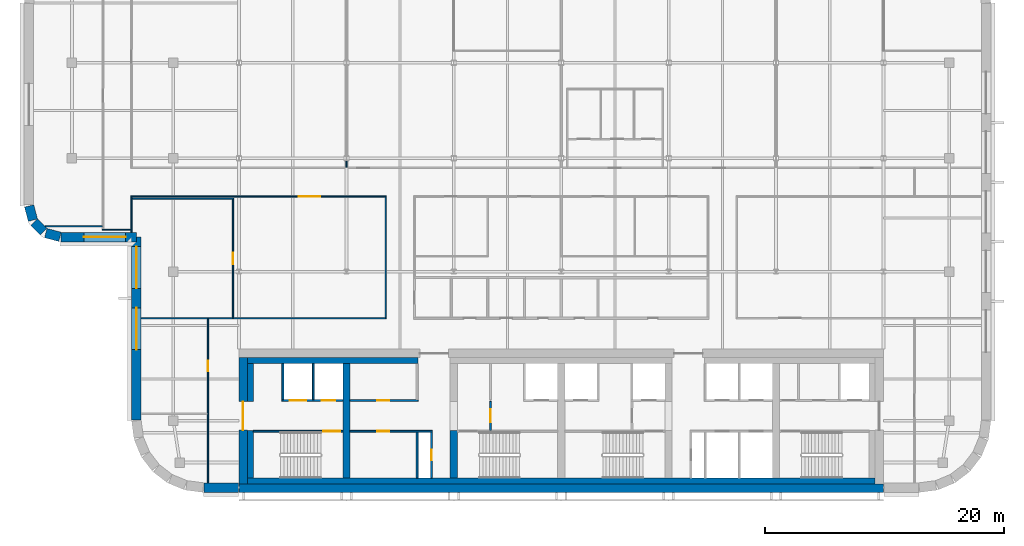
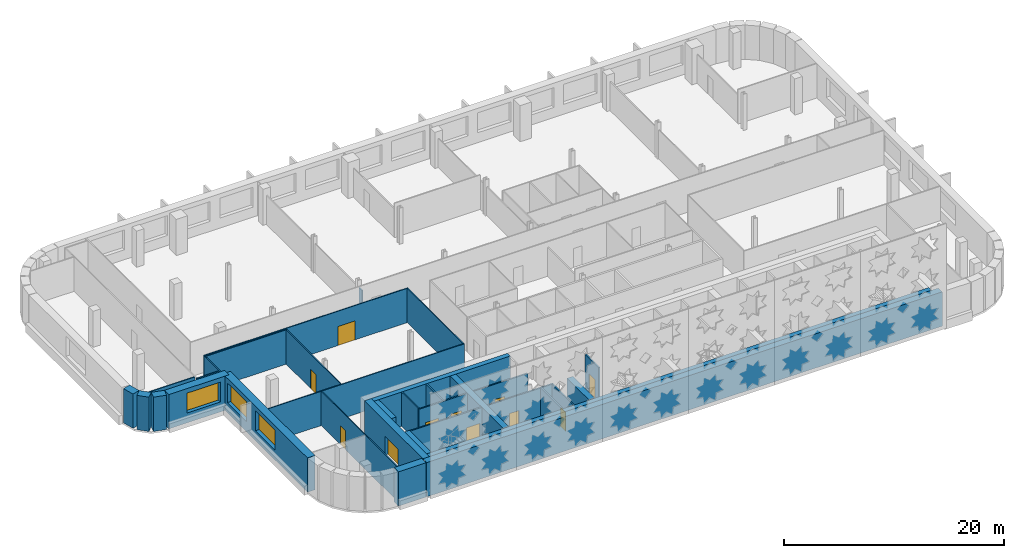
# One storey, part 7 of 17: 33 walls, 11 doors, 3 windows, 14 openings.
"""IFC4 building model written with IfcOpenShell, lengths in metres."""

from ifc_helpers import new_model, si_unit, direction, frame, frame_2d, origin, place, context, subcontext, project, spatial, rectangle, extrude, material, layer, layer_set, type_object, element, fill, save


model = new_model("IFC4")

# Units and contexts
model_context = context("Model", 3, precision=1e-05, world=origin(), true_north=direction((0.0, 1.0)))
body_context = subcontext(model_context, "Body", "Model", "MODEL_VIEW")
ifc_project = project(units=[si_unit("LENGTHUNIT", "METRE"), si_unit("AREAUNIT", "SQUARE_METRE"), si_unit("VOLUMEUNIT", "CUBIC_METRE"), si_unit("PLANEANGLEUNIT", "RADIAN"), si_unit("MASSUNIT", "GRAM", prefix="KILO")], contexts=[model_context])

# Site, building, storey
site_placement = place(None, origin())
site = spatial("IfcSite", under=ifc_project, at=site_placement, CompositionType="ELEMENT")
building_placement = place(site_placement, origin())
building = spatial("IfcBuilding", under=site, at=building_placement, Name="Zellij Exchange Tower", CompositionType="ELEMENT")
storey_placement = place(building_placement, frame((0.0, 0.0, 252.5)))
storey = spatial("IfcBuildingStorey", under=building, at=storey_placement, Name="L59", CompositionType="ELEMENT", Elevation=252.5)

# Walls
ifc_material_1 = material(Name="Concrete C50/60", Category="concrete")
ifc_layer_1 = layer(ifc_material_1, 0.60009765625)
ifc_layer_set_1 = layer_set([ifc_layer_1], Name="Concrete C50/60")
wall_type_1 = type_object("IfcWallType", Name="CORE-CW 600 C50/60", PredefinedType="SHEAR", material=ifc_layer_set_1)
wall_1_placement = place(storey_placement, frame((-18.0, -12.800048828125, 0.0), z_axis=(0.0, 0.0, 1.0), x_axis=(0.0, 1.0, 0.0)))
element("IfcWall", 1, at=wall_1_placement, inside=storey, type_object=wall_type_1, Name="Core cross wall x -18 L59", PredefinedType="SHEAR", context=body_context, shape_type="SweptSolid", body=[
    extrude(rectangle(XDim=9.60009765625, YDim=0.60009765625, at=frame_2d((4.800048828125, 0.0))), origin(), (0.0, 0.0, 1.0), 3.800048828125),
])
wall_2_placement = place(storey_placement, frame((-9.0, -12.800048828125, 0.0), z_axis=(0.0, 0.0, 1.0), x_axis=(0.0, 1.0, 0.0)))
element("IfcWall", 2, at=wall_2_placement, inside=storey, type_object=wall_type_1, Name="Core cross wall pier x -9 a L59", PredefinedType="SHEAR", context=body_context, shape_type="SweptSolid", body=[
    extrude(rectangle(XDim=4.0, YDim=0.60009765625, at=frame_2d((2.0, 0.0))), origin(), (0.0, 0.0, 1.0), 3.800048828125),
])
ifc_material_2 = material(Name="Concrete C30/37", Category="concrete")
ifc_layer_2 = layer(ifc_material_2, 0.5)
ifc_layer_set_2 = layer_set([ifc_layer_2], Name="Concrete C30/37")
wall_type_2 = type_object("IfcWallType", Name="CORE-LW 500 C30/37", PredefinedType="SHEAR", material=ifc_layer_set_2)
wall_3_placement = place(storey_placement, frame((-26.300048828125, -2.949951171875, 0.0), z_axis=(0.0, 0.0, 1.0), x_axis=(1.0, 0.0, 0.0)))
element("IfcWall", 3, at=wall_3_placement, inside=storey, type_object=wall_type_2, Name="Core wall lining front.0 L59", PredefinedType="SHEAR", context=body_context, shape_type="SweptSolid", body=[
    extrude(rectangle(XDim=14.300048828125, YDim=0.5, at=frame_2d((7.14990234375, 0.0))), origin(), (0.0, 0.0, 1.0), 3.800048828125),
])
wall_4_placement = place(storey_placement, frame((-26.300048828125, -13.050048828125, 0.0), z_axis=(0.0, 0.0, 1.0), x_axis=(1.0, 0.0, 0.0)))
element("IfcWall", 4, at=wall_4_placement, inside=storey, type_object=wall_type_2, Name="Core wall lining rear.0 L59", PredefinedType="SHEAR", context=body_context, shape_type="SweptSolid", body=[
    extrude(rectangle(XDim=52.60009765625, YDim=0.5, at=frame_2d((26.300048828125, 0.0))), origin(), (0.0, 0.0, 1.0), 3.800048828125),
])
wall_5_placement = place(storey_placement, frame((-26.050048828125, -12.800048828125, 0.0), z_axis=(0.0, 0.0, 1.0), x_axis=(0.0, 1.0, 0.0)))
element("IfcWall", 5, at=wall_5_placement, inside=storey, type_object=wall_type_2, Name="Core wall lining end w.0 L59", PredefinedType="SHEAR", context=body_context, shape_type="SweptSolid", body=[
    extrude(rectangle(XDim=4.0, YDim=0.5, at=frame_2d((2.0, 0.0))), origin(), (0.0, 0.0, 1.0), 3.800048828125),
])
wall_6_placement = place(storey_placement, frame((-26.050048828125, -6.375, 0.0), z_axis=(0.0, 0.0, 1.0), x_axis=(0.0, 1.0, 0.0)))
element("IfcWall", 6, at=wall_6_placement, inside=storey, type_object=wall_type_2, Name="Core wall lining end w.1 L59", PredefinedType="SHEAR", context=body_context, shape_type="SweptSolid", body=[
    extrude(rectangle(XDim=3.175048828125, YDim=0.5, at=frame_2d((1.58740234375, 0.0))), origin(), (0.0, 0.0, 1.0), 3.800048828125),
])

# Wall, opening, door
ifc_material_3 = material(Name="Gypsum shaft wall system")
ifc_layer_3 = layer(ifc_material_3, 0.14990234375)
ifc_layer_set_3 = layer_set([ifc_layer_3], Name="Gypsum shaft wall system")
wall_type_3 = type_object("IfcWallType", Name="CORE-PW 150 Firefighting lobby wall", PredefinedType="PARTITIONING", material=ifc_layer_set_3)
wall_7_placement = place(storey_placement, frame((-5.925048828125, -8.800048828125, 0.0), z_axis=(0.0, 0.0, 1.0), x_axis=(0.0, 1.0, 0.0)))
wall_7 = element("IfcWall", 7, at=wall_7_placement, inside=storey, type_object=wall_type_3, Name="Firefighting lobby wall L59", PredefinedType="PARTITIONING", context=body_context, shape_type="SweptSolid", body=[
    extrude(rectangle(XDim=2.425048828125, YDim=0.14990234375, at=frame_2d((1.21240234375, 0.0))), origin(), (0.0, 0.0, 1.0), 3.800048828125),
])
opening_1_placement = place(wall_7_placement, frame((0.662109375, 0.0, 0.0)))
opening_1 = element("IfcOpeningElement", 8, at=opening_1_placement, cuts=wall_7, Name="Opening CA-30.10", PredefinedType="OPENING", context=body_context, shape_type="SweptSolid", body=[
    extrude(rectangle(XDim=1.10009765625, YDim=2.10009765625, at=frame_2d((0.550048828125, 1.050048828125))), frame((0.0, 0.0869140625, 0.0), z_axis=(0.0, -1.0, 0.0), x_axis=(1.0, 0.0, 0.0)), (0.0, 0.0, 1.0), 0.173828125),
])
ifc_material_4 = material(Name="Hollow metal fire door")
door_type_1 = type_object("IfcDoorType", Name="CORE-D F Firefighting lobby door 1100x2100 1 HR", OperationType="NOTDEFINED", PredefinedType="DOOR", material=ifc_material_4)
door_1_placement = place(opening_1_placement, origin())
door_1 = element("IfcDoor", 9, at=door_1_placement, inside=storey, type_object=door_type_1, Name="Firefighting lobby door CA-30.10", OperationType="SINGLE_SWING_LEFT", OverallHeight=2.10009765625, OverallWidth=1.10009765625, PredefinedType="DOOR", context=body_context, shape_type="SweptSolid", body=[
    extrude(rectangle(XDim=1.10009765625, YDim=2.10009765625, at=frame_2d((0.550048828125, 1.050048828125))), frame((0.0, 0.02490234375, 0.0), z_axis=(0.0, -1.0, 0.0), x_axis=(1.0, 0.0, 0.0)), (0.0, 0.0, 1.0), 0.050048828125),
])
fill(opening_1, door_1)

ifc_material_5 = material(Name="Gypsum board partition")
ifc_layer_4 = layer(ifc_material_5, 0.14990234375)
ifc_layer_set_4 = layer_set([ifc_layer_4], Name="Gypsum board partition")
wall_type_4 = type_object("IfcWallType", Name="CORE-PW 150 Lift lobby wall", PredefinedType="PARTITIONING", material=ifc_layer_set_4)
wall_8_placement = place(storey_placement, frame((-10.875, -12.800048828125, 0.0), z_axis=(0.0, 0.0, 1.0), x_axis=(0.0, 1.0, 0.0)))
wall_8 = element("IfcWall", 10, at=wall_8_placement, inside=storey, type_object=wall_type_4, Name="Lift lobby wall L59", PredefinedType="PARTITIONING", context=body_context, shape_type="SweptSolid", body=[
    extrude(rectangle(XDim=3.85009765625, YDim=0.14990234375, at=frame_2d((1.925048828125, 0.0))), origin(), (0.0, 0.0, 1.0), 3.800048828125),
])
opening_2_placement = place(wall_8_placement, frame((1.47509765625, 0.0, 0.0)))
opening_2 = element("IfcOpeningElement", 11, at=opening_2_placement, cuts=wall_8, Name="Opening CA-30.07", PredefinedType="OPENING", context=body_context, shape_type="SweptSolid", body=[
    extrude(rectangle(XDim=0.89990234375, YDim=2.10009765625, at=frame_2d((0.449951171875, 1.050048828125))), frame((0.0, 0.0869140625, 0.0), z_axis=(0.0, -1.0, 0.0), x_axis=(1.0, 0.0, 0.0)), (0.0, 0.0, 1.0), 0.173828125),
])
door_type_2 = type_object("IfcDoorType", Name="CORE-D RD Riser door 900x2100 1.5 HR", OperationType="NOTDEFINED", PredefinedType="DOOR", material=ifc_material_4)
door_2_placement = place(opening_2_placement, origin())
door_2 = element("IfcDoor", 12, at=door_2_placement, inside=storey, type_object=door_type_2, Name="Riser door CA-30.07", OperationType="SINGLE_SWING_RIGHT", OverallHeight=2.10009765625, OverallWidth=0.89990234375, PredefinedType="DOOR", context=body_context, shape_type="SweptSolid", body=[
    extrude(rectangle(XDim=0.89990234375, YDim=2.10009765625, at=frame_2d((0.449951171875, 1.050048828125))), frame((0.0, 0.02490234375, 0.0), z_axis=(0.0, -1.0, 0.0), x_axis=(1.0, 0.0, 0.0)), (0.0, 0.0, 1.0), 0.050048828125),
])
fill(opening_2, door_2)

# Wall
wall_9_placement = place(storey_placement, frame((-12.074951171875, -12.800048828125, 0.0), z_axis=(0.0, 0.0, 1.0), x_axis=(0.0, 1.0, 0.0)))
element("IfcWall", 13, at=wall_9_placement, inside=storey, type_object=wall_type_4, Name="Lift lobby wall L59", PredefinedType="PARTITIONING", context=body_context, shape_type="SweptSolid", body=[
    extrude(rectangle(XDim=3.85009765625, YDim=0.14990234375, at=frame_2d((1.925048828125, 0.0))), origin(), (0.0, 0.0, 1.0), 3.800048828125),
])

# Wall, opening, door
wall_10_placement = place(storey_placement, frame((-17.699951171875, -6.300048828125, 0.0), z_axis=(0.0, 0.0, 1.0), x_axis=(1.0, 0.0, 0.0)))
wall_10 = element("IfcWall", 14, at=wall_10_placement, inside=storey, type_object=wall_type_4, Name="Lift lobby wall L59", PredefinedType="PARTITIONING", context=body_context, shape_type="SweptSolid", body=[
    extrude(rectangle(XDim=5.699951171875, YDim=0.14990234375, at=frame_2d((2.85009765625, 0.0))), origin(), (0.0, 0.0, 1.0), 3.800048828125),
])
opening_3_placement = place(wall_10_placement, frame((2.27490234375, 0.0, 0.0)))
opening_3 = element("IfcOpeningElement", 15, at=opening_3_placement, cuts=wall_10, Name="Opening CA-30.06", PredefinedType="OPENING", context=body_context, shape_type="SweptSolid", body=[
    extrude(rectangle(XDim=1.0, YDim=2.10009765625, at=frame_2d((0.5, 1.050048828125))), frame((0.0, 0.0869140625, 0.0), z_axis=(0.0, -1.0, 0.0), x_axis=(1.0, 0.0, 0.0)), (0.0, 0.0, 1.0), 0.173828125),
])
door_type_3 = type_object("IfcDoorType", Name="CORE-D CD Core room door 1000x2100 1 HR", OperationType="NOTDEFINED", PredefinedType="DOOR", material=ifc_material_4)
door_3_placement = place(opening_3_placement, origin())
door_3 = element("IfcDoor", 16, at=door_3_placement, inside=storey, type_object=door_type_3, Name="Core room door CA-30.06", OperationType="SINGLE_SWING_LEFT", OverallHeight=2.10009765625, OverallWidth=1.0, PredefinedType="DOOR", context=body_context, shape_type="SweptSolid", body=[
    extrude(rectangle(XDim=1.0, YDim=2.10009765625, at=frame_2d((0.5, 1.050048828125))), frame((0.0, 0.02490234375, 0.0), z_axis=(0.0, -1.0, 0.0), x_axis=(1.0, 0.0, 0.0)), (0.0, 0.0, 1.0), 0.050048828125),
])
fill(opening_3, door_3)

wall_11_placement = place(storey_placement, frame((-17.699951171875, -8.875, 0.0), z_axis=(0.0, 0.0, 1.0), x_axis=(1.0, 0.0, 0.0)))
wall_11 = element("IfcWall", 17, at=wall_11_placement, inside=storey, type_object=wall_type_4, Name="Lift lobby wall L59", PredefinedType="PARTITIONING", context=body_context, shape_type="SweptSolid", body=[
    extrude(rectangle(XDim=6.89990234375, YDim=0.14990234375, at=frame_2d((3.449951171875, 0.0))), origin(), (0.0, 0.0, 1.0), 3.800048828125),
])
opening_4_placement = place(wall_11_placement, frame((2.27490234375, 0.0, 0.0)))
opening_4 = element("IfcOpeningElement", 18, at=opening_4_placement, cuts=wall_11, Name="Opening CA-30.05", PredefinedType="OPENING", context=body_context, shape_type="SweptSolid", body=[
    extrude(rectangle(XDim=1.0, YDim=2.10009765625, at=frame_2d((0.5, 1.050048828125))), frame((0.0, 0.0869140625, 0.0), z_axis=(0.0, -1.0, 0.0), x_axis=(1.0, 0.0, 0.0)), (0.0, 0.0, 1.0), 0.173828125),
])
door_4_placement = place(opening_4_placement, origin())
door_4 = element("IfcDoor", 19, at=door_4_placement, inside=storey, type_object=door_type_3, Name="Core room door CA-30.05", OperationType="SINGLE_SWING_RIGHT", OverallHeight=2.10009765625, OverallWidth=1.0, PredefinedType="DOOR", context=body_context, shape_type="SweptSolid", body=[
    extrude(rectangle(XDim=1.0, YDim=2.10009765625, at=frame_2d((0.5, 1.050048828125))), frame((0.0, 0.02490234375, 0.0), z_axis=(0.0, -1.0, 0.0), x_axis=(1.0, 0.0, 0.0)), (0.0, 0.0, 1.0), 0.050048828125),
])
fill(opening_4, door_4)

# Walls
ifc_layer_5 = layer(ifc_material_3, 0.14990234375)
ifc_layer_set_5 = layer_set([ifc_layer_5], Name="Gypsum shaft wall system")
wall_type_5 = type_object("IfcWallType", Name="CORE-PW 150 Lift shaft wall", PredefinedType="PARTITIONING", material=ifc_layer_set_5)
for number, where, z_axis, x_axis, name in (
    (20, (-20.77490234375, -6.22509765625, 0.0), (0.0, 0.0, 1.0), (0.0, 1.0, 0.0), "Lift shaft wall L59"),
    (21, (-23.324951171875, -6.22509765625, 0.0), (0.0, 0.0, 1.0), (0.0, 1.0, 0.0), "Lift shaft wall L59"),
):
    element("IfcWall", number, at=place(storey_placement, frame(where, z_axis=z_axis, x_axis=x_axis)), inside=storey, type_object=wall_type_5, Name=name, PredefinedType="PARTITIONING", context=body_context, shape_type="SweptSolid", body=[
        extrude(rectangle(XDim=3.025146484375, YDim=0.14990234375, at=frame_2d((1.5126953125, 0.0))), origin(), (0.0, 0.0, 1.0), 3.800048828125),
    ])

# Wall, openings, doors
wall_12_placement = place(storey_placement, frame((-23.39990234375, -6.300048828125, 0.0), z_axis=(0.0, 0.0, 1.0), x_axis=(1.0, 0.0, 0.0)))
wall_12 = element("IfcWall", 22, at=wall_12_placement, inside=storey, type_object=wall_type_5, Name="Lift shaft wall L59", PredefinedType="PARTITIONING", context=body_context, shape_type="SweptSolid", body=[
    extrude(rectangle(XDim=5.099853515625, YDim=0.14990234375, at=frame_2d((2.5498046875, 0.0))), origin(), (0.0, 0.0, 1.0), 3.800048828125),
])
opening_5_placement = place(wall_12_placement, frame((0.64990234375, 0.0, 0.0)))
opening_5 = element("IfcOpeningElement", 23, at=opening_5_placement, cuts=wall_12, Name="Opening CA-30.02", PredefinedType="OPENING", context=body_context, shape_type="SweptSolid", body=[
    extrude(rectangle(XDim=1.39990234375, YDim=2.10009765625, at=frame_2d((0.699951171875, 1.050048828125))), frame((0.0, 0.0869140625, 0.0), z_axis=(0.0, -1.0, 0.0), x_axis=(1.0, 0.0, 0.0)), (0.0, 0.0, 1.0), 0.173828125),
])
opening_6_placement = place(wall_12_placement, frame((3.35009765625, 0.0, 0.0)))
opening_6 = element("IfcOpeningElement", 24, at=opening_6_placement, cuts=wall_12, Name="Opening CA-30.03", PredefinedType="OPENING", context=body_context, shape_type="SweptSolid", body=[
    extrude(rectangle(XDim=1.10009765625, YDim=2.10009765625, at=frame_2d((0.550048828125, 1.050048828125))), frame((0.0, 0.0869140625, 0.0), z_axis=(0.0, -1.0, 0.0), x_axis=(1.0, 0.0, 0.0)), (0.0, 0.0, 1.0), 0.173828125),
])
door_type_4 = type_object("IfcDoorType", Name="CORE-D LD Lift landing door 1100x2100 1.5 HR", OperationType="NOTDEFINED", PredefinedType="DOOR", material=ifc_material_4)
door_5_placement = place(opening_6_placement, origin())
door_5 = element("IfcDoor", 25, at=door_5_placement, inside=storey, type_object=door_type_4, Name="Lift landing door CA-30.03", OperationType="SLIDING_TO_LEFT", OverallHeight=2.10009765625, OverallWidth=1.10009765625, PredefinedType="DOOR", context=body_context, shape_type="SweptSolid", body=[
    extrude(rectangle(XDim=1.10009765625, YDim=2.10009765625, at=frame_2d((0.550048828125, 1.050048828125))), frame((0.0, 0.02490234375, 0.0), z_axis=(0.0, -1.0, 0.0), x_axis=(1.0, 0.0, 0.0)), (0.0, 0.0, 1.0), 0.050048828125),
])
fill(opening_6, door_5)
door_type_5 = type_object("IfcDoorType", Name="CORE-D LD2 Service lift landing door 1400x2100 1.5 HR", OperationType="NOTDEFINED", PredefinedType="DOOR", material=ifc_material_4)
door_6_placement = place(opening_5_placement, origin())
door_6 = element("IfcDoor", 26, at=door_6_placement, inside=storey, type_object=door_type_5, Name="Service lift landing door CA-30.02", OperationType="SLIDING_TO_RIGHT", OverallHeight=2.10009765625, OverallWidth=1.39990234375, PredefinedType="DOOR", context=body_context, shape_type="SweptSolid", body=[
    extrude(rectangle(XDim=1.39990234375, YDim=2.10009765625, at=frame_2d((0.699951171875, 1.050048828125))), frame((0.0, 0.02490234375, 0.0), z_axis=(0.0, -1.0, 0.0), x_axis=(1.0, 0.0, 0.0)), (0.0, 0.0, 1.0), 0.050048828125),
])
fill(opening_5, door_6)

# Wall
ifc_layer_6 = layer(ifc_material_1, 0.699951171875)
ifc_layer_set_6 = layer_set([ifc_layer_6], Name="Concrete C50/60")
wall_type_6 = type_object("IfcWallType", Name="CORE-SW 700 C50/60", PredefinedType="SHEAR", material=ifc_layer_set_6)
wall_13_placement = place(storey_placement, frame((-27.0, -13.64990234375, 0.0), z_axis=(0.0, 0.0, 1.0), x_axis=(1.0, 0.0, 0.0)))
element("IfcWall", 27, at=wall_13_placement, inside=storey, type_object=wall_type_6, Name="Core shear wall rear L59", PredefinedType="SHEAR", context=body_context, shape_type="SweptSolid", body=[
    extrude(rectangle(XDim=54.0, YDim=0.699951171875, at=frame_2d((27.0, 0.0))), origin(), (0.0, 0.0, 1.0), 3.800048828125),
])

# Wall, opening, door
wall_14_placement = place(storey_placement, frame((-26.64990234375, -13.300048828125, 0.0), z_axis=(0.0, 0.0, 1.0), x_axis=(0.0, 1.0, 0.0)))
wall_14 = element("IfcWall", 28, at=wall_14_placement, inside=storey, type_object=wall_type_6, Name="Core shear wall end w L59", PredefinedType="SHEAR", context=body_context, shape_type="SweptSolid", body=[
    extrude(rectangle(XDim=10.60009765625, YDim=0.699951171875, at=frame_2d((5.300048828125, 0.0))), origin(), (0.0, 0.0, 1.0), 3.800048828125),
])
opening_7_placement = place(wall_14_placement, frame((4.511962890625, 0.0, 0.0)))
opening_7 = element("IfcOpeningElement", 29, at=opening_7_placement, cuts=wall_14, Name="Opening CA-30.01", PredefinedType="OPENING", context=body_context, shape_type="SweptSolid", body=[
    extrude(rectangle(XDim=2.39990234375, YDim=2.10009765625, at=frame_2d((1.199951171875, 1.050048828125))), frame((0.0, 0.36181640625, 0.0), z_axis=(0.0, -1.0, 0.0), x_axis=(1.0, 0.0, 0.0)), (0.0, 0.0, 1.0), 0.723876953125),
])
door_type_6 = type_object("IfcDoorType", Name="CORE-D CE Core entrance door 2400x2100 20 MIN", OperationType="NOTDEFINED", PredefinedType="DOOR", material=ifc_material_4)
door_7_placement = place(opening_7_placement, origin())
door_7 = element("IfcDoor", 30, at=door_7_placement, inside=storey, type_object=door_type_6, Name="Core entrance door CA-30.01", OperationType="DOUBLE_DOOR_SINGLE_SWING", OverallHeight=2.10009765625, OverallWidth=2.39990234375, PredefinedType="DOOR", context=body_context, shape_type="SweptSolid", body=[
    extrude(rectangle(XDim=2.39990234375, YDim=2.10009765625, at=frame_2d((1.199951171875, 1.050048828125))), frame((0.0, 0.02490234375, 0.0), z_axis=(0.0, -1.0, 0.0), x_axis=(1.0, 0.0, 0.0)), (0.0, 0.0, 1.0), 0.050048828125),
])
fill(opening_7, door_7)

ifc_layer_7 = layer(ifc_material_1, 0.14990234375)
ifc_layer_set_7 = layer_set([ifc_layer_7], Name="Concrete C50/60")
wall_type_7 = type_object("IfcWallType", Name="CORE-SWS 150 C50/60", PredefinedType="SHEAR", material=ifc_layer_set_7)
wall_15_placement = place(storey_placement, frame((-25.800048828125, -8.875, 0.0), z_axis=(0.0, 0.0, 1.0), x_axis=(1.0, 0.0, 0.0)))
wall_15 = element("IfcWall", 31, at=wall_15_placement, inside=storey, type_object=wall_type_7, Name="Stair enclosure wall L59", PredefinedType="SHEAR", context=body_context, shape_type="SweptSolid", body=[
    extrude(rectangle(XDim=7.5, YDim=0.14990234375, at=frame_2d((3.75, 0.0))), origin(), (0.0, 0.0, 1.0), 3.800048828125),
])
opening_8_placement = place(wall_15_placement, frame((5.875, 0.0, 0.0)))
opening_8 = element("IfcOpeningElement", 32, at=opening_8_placement, cuts=wall_15, Name="Opening CA-30.04", PredefinedType="OPENING", context=body_context, shape_type="SweptSolid", body=[
    extrude(rectangle(XDim=1.39990234375, YDim=2.10009765625, at=frame_2d((0.699951171875, 1.050048828125))), frame((0.0, 0.0869140625, 0.0), z_axis=(0.0, -1.0, 0.0), x_axis=(1.0, 0.0, 0.0)), (0.0, 0.0, 1.0), 0.173828125),
])
door_type_7 = type_object("IfcDoorType", Name="CORE-D SD Stair door 1400x2100 1.5 HR", OperationType="NOTDEFINED", PredefinedType="DOOR", material=ifc_material_4)
door_8_placement = place(opening_8_placement, origin())
door_8 = element("IfcDoor", 33, at=door_8_placement, inside=storey, type_object=door_type_7, Name="Stair door CA-30.04", OperationType="DOUBLE_DOOR_SINGLE_SWING", OverallHeight=2.10009765625, OverallWidth=1.39990234375, PredefinedType="DOOR", context=body_context, shape_type="SweptSolid", body=[
    extrude(rectangle(XDim=1.39990234375, YDim=2.10009765625, at=frame_2d((0.699951171875, 1.050048828125))), frame((0.0, 0.02490234375, 0.0), z_axis=(0.0, -1.0, 0.0), x_axis=(1.0, 0.0, 0.0)), (0.0, 0.0, 1.0), 0.050048828125),
])
fill(opening_8, door_8)

# Walls
ifc_material_6 = material(Name="Precast concrete C40/50", Category="concrete")
ifc_layer_8 = layer(ifc_material_6, 0.800048828125)
ifc_layer_set_8 = layer_set([ifc_layer_8], Name="Precast concrete C40/50")
wall_type_8 = type_object("IfcWallType", Name="ENV-EW1 Precast stone-piered wall 800", PredefinedType="SOLIDWALL", material=ifc_layer_set_8)
wall_16_placement = place(storey_placement, frame((-29.947509765625, -13.60009765625, 0.0), z_axis=(0.0, 0.0, 1.0), x_axis=(1.0, 0.0, 0.0)))
element("IfcWall", 34, at=wall_16_placement, inside=storey, type_object=wall_type_8, Name="fac.L59.00a", PredefinedType="SOLIDWALL", context=body_context, shape_type="SweptSolid", body=[
    extrude(rectangle(XDim=2.8974609375, YDim=0.800048828125, at=frame_2d((1.44873046875, 0.0))), origin(), (0.0, 0.0, 1.0), 3.800048828125),
])
wall_17_placement = place(storey_placement, frame((-44.58642578125, 10.001708984375, 0.0), z_axis=(0.0, 0.0, 1.0), x_axis=(0.258943885187, -0.965892366842, 0.0)))
element("IfcWall", 35, at=wall_17_placement, inside=storey, type_object=wall_type_8, Name="fac.L59.22", PredefinedType="SOLIDWALL", context=body_context, shape_type="SweptSolid", body=[
    extrude(rectangle(XDim=1.233154296875, YDim=0.800048828125, at=frame_2d((0.61669921875, 0.0))), origin(), (0.0, 0.0, 1.0), 3.800048828125),
])
wall_18_placement = place(storey_placement, frame((-44.163818359375, 8.63134765625, 0.0), z_axis=(0.0, 0.0, 1.0), x_axis=(0.707106781187, -0.707106781187, 0.0)))
element("IfcWall", 36, at=wall_18_placement, inside=storey, type_object=wall_type_8, Name="fac.L59.23", PredefinedType="SOLIDWALL", context=body_context, shape_type="SweptSolid", body=[
    extrude(rectangle(XDim=1.12451171875, YDim=0.800048828125, at=frame_2d((0.562255859375, 0.0))), origin(), (0.0, 0.0, 1.0), 3.800048828125),
])
wall_19_placement = place(storey_placement, frame((-43.189453125, 7.73291015625, 0.0), z_axis=(0.0, 0.0, 1.0), x_axis=(0.965892366842, -0.258943885187, 0.0)))
element("IfcWall", 37, at=wall_19_placement, inside=storey, type_object=wall_type_8, Name="fac.L59.24", PredefinedType="SOLIDWALL", context=body_context, shape_type="SweptSolid", body=[
    extrude(rectangle(XDim=1.233154296875, YDim=0.800048828125, at=frame_2d((0.61669921875, 0.0))), origin(), (0.0, 0.0, 1.0), 3.800048828125),
])

# Wall, opening, window
wall_20_placement = place(storey_placement, frame((-41.89453125, 7.39990234375, 0.0), z_axis=(0.0, 0.0, 1.0), x_axis=(1.0, 0.0, 0.0)))
wall_20 = element("IfcWall", 38, at=wall_20_placement, inside=storey, type_object=wall_type_8, Name="fac.L59.25", PredefinedType="SOLIDWALL", context=body_context, shape_type="SweptSolid", body=[
    extrude(rectangle(XDim=6.29443359375, YDim=0.800048828125, at=frame_2d((3.147216796875, 0.0))), origin(), (0.0, 0.0, 1.0), 3.800048828125),
])
opening_9_placement = place(wall_20_placement, frame((1.89453125, 0.0, 1.10009765625)))
opening_9 = element("IfcOpeningElement", 39, at=opening_9_placement, cuts=wall_20, Name="Opening FZ4.21", PredefinedType="OPENING", context=body_context, shape_type="SweptSolid", body=[
    extrude(rectangle(XDim=3.5, YDim=2.199951171875, at=frame_2d((1.75, 1.10009765625))), frame((0.0, 0.412109375, 0.0), z_axis=(0.0, -1.0, 0.0), x_axis=(1.0, 0.0, 0.0)), (0.0, 0.0, 1.0), 0.823974609375),
])
ifc_material_7 = material(Name="Aluminium frame with insulating glass", Category="aluminium")
window_type = type_object("IfcWindowType", Name="ENV-W7 Window 3500x2200", PartitioningType="SINGLE_PANEL", PredefinedType="WINDOW", material=ifc_material_7)
window_1_placement = place(opening_9_placement, origin())
window_1 = element("IfcWindow", 40, at=window_1_placement, inside=storey, type_object=window_type, Name="Window FZ4.21", OverallHeight=2.199951171875, OverallWidth=3.5, PartitioningType="SINGLE_PANEL", PredefinedType="WINDOW", context=body_context, shape_type="SweptSolid", body=[
    extrude(rectangle(XDim=3.5, YDim=2.199951171875, at=frame_2d((1.75, 1.10009765625))), frame((0.0, 0.030029296875, 0.0), z_axis=(0.0, -1.0, 0.0), x_axis=(1.0, 0.0, 0.0)), (0.0, 0.0, 1.0), 0.06005859375),
])
fill(opening_9, window_1)

# Wall, openings, windows
wall_21_placement = place(storey_placement, frame((-35.60009765625, 7.39990234375, 0.0), z_axis=(0.0, 0.0, 1.0), x_axis=(0.0, -1.0, 0.0)))
wall_21 = element("IfcWall", 41, at=wall_21_placement, inside=storey, type_object=wall_type_8, Name="fac.L59.26", PredefinedType="SOLIDWALL", context=body_context, shape_type="SweptSolid", body=[
    extrude(rectangle(XDim=15.347412109375, YDim=0.800048828125, at=frame_2d((7.673828125, 0.0))), origin(), (0.0, 0.0, 1.0), 3.800048828125),
])
opening_10_placement = place(wall_21_placement, frame((0.812255859375, 0.0, 1.10009765625)))
opening_10 = element("IfcOpeningElement", 42, at=opening_10_placement, cuts=wall_21, Name="Opening FZ4.22", PredefinedType="OPENING", context=body_context, shape_type="SweptSolid", body=[
    extrude(rectangle(XDim=3.5, YDim=2.199951171875, at=frame_2d((1.75, 1.10009765625))), frame((0.0, 0.412109375, 0.0), z_axis=(0.0, -1.0, 0.0), x_axis=(1.0, 0.0, 0.0)), (0.0, 0.0, 1.0), 0.823974609375),
])
opening_11_placement = place(wall_21_placement, frame((5.93701171875, 0.0, 1.10009765625)))
opening_11 = element("IfcOpeningElement", 43, at=opening_11_placement, cuts=wall_21, Name="Opening FZ4.23", PredefinedType="OPENING", context=body_context, shape_type="SweptSolid", body=[
    extrude(rectangle(XDim=3.5, YDim=2.199951171875, at=frame_2d((1.75, 1.10009765625))), frame((0.0, 0.412109375, 0.0), z_axis=(0.0, -1.0, 0.0), x_axis=(1.0, 0.0, 0.0)), (0.0, 0.0, 1.0), 0.823974609375),
])
window_2_placement = place(opening_10_placement, origin())
window_2 = element("IfcWindow", 44, at=window_2_placement, inside=storey, type_object=window_type, Name="Window FZ4.22", OverallHeight=2.199951171875, OverallWidth=3.5, PartitioningType="SINGLE_PANEL", PredefinedType="WINDOW", context=body_context, shape_type="SweptSolid", body=[
    extrude(rectangle(XDim=3.5, YDim=2.199951171875, at=frame_2d((1.75, 1.10009765625))), frame((0.0, 0.030029296875, 0.0), z_axis=(0.0, -1.0, 0.0), x_axis=(1.0, 0.0, 0.0)), (0.0, 0.0, 1.0), 0.06005859375),
])
fill(opening_10, window_2)
window_3_placement = place(opening_11_placement, origin())
window_3 = element("IfcWindow", 45, at=window_3_placement, inside=storey, type_object=window_type, Name="Window FZ4.23", OverallHeight=2.199951171875, OverallWidth=3.5, PartitioningType="SINGLE_PANEL", PredefinedType="WINDOW", context=body_context, shape_type="SweptSolid", body=[
    extrude(rectangle(XDim=3.5, YDim=2.199951171875, at=frame_2d((1.75, 1.10009765625))), frame((0.0, 0.030029296875, 0.0), z_axis=(0.0, -1.0, 0.0), x_axis=(1.0, 0.0, 0.0)), (0.0, 0.0, 1.0), 0.06005859375),
])
fill(opening_11, window_3)

# Wall, opening, door
ifc_material_8 = material(Name="Gypsum board partition on steel studs", Category="steel")
ifc_layer_9 = layer(ifc_material_8, 0.10009765625)
ifc_layer_set_9 = layer_set([ifc_layer_9], Name="Gypsum board partition on steel studs")
wall_type_9 = type_object("IfcWallType", Name="FIT-PARTITION-100", PredefinedType="PARTITIONING", material=ifc_layer_set_9)
wall_22_placement = place(storey_placement, frame((-29.60009765625, -13.199951171875, 0.0), z_axis=(0.0, 0.0, 1.0), x_axis=(0.0, 1.0, 0.0)))
wall_22 = element("IfcWall", 46, at=wall_22_placement, inside=storey, type_object=wall_type_9, Name="FIT-PARTITION-100 001", PredefinedType="PARTITIONING", context=body_context, shape_type="SweptSolid", body=[
    extrude(rectangle(XDim=13.75, YDim=0.10009765625, at=frame_2d((6.875, 0.0))), origin(), (0.0, 0.0, 1.0), 3.800048828125),
])
opening_12_placement = place(wall_22_placement, frame((9.35009765625, 0.0, 0.0)))
opening_12 = element("IfcOpeningElement", 47, at=opening_12_placement, cuts=wall_22, Name="Opening O4D.02", PredefinedType="OPENING", context=body_context, shape_type="SweptSolid", body=[
    extrude(rectangle(XDim=0.89990234375, YDim=2.10009765625, at=frame_2d((0.449951171875, 1.050048828125))), frame((0.0, 0.06201171875, 0.0), z_axis=(0.0, -1.0, 0.0), x_axis=(1.0, 0.0, 0.0)), (0.0, 0.0, 1.0), 0.1240234375),
])
ifc_material_9 = material(Name="Timber door set", Category="wood")
door_type_8 = type_object("IfcDoorType", Name="FIT-D1-ROOM-900X2100", OperationType="SINGLE_SWING_LEFT", PredefinedType="DOOR", material=ifc_material_9)
door_9_placement = place(opening_12_placement, origin())
door_9 = element("IfcDoor", 48, at=door_9_placement, inside=storey, type_object=door_type_8, Name="Door O4D.02", OperationType="SINGLE_SWING_RIGHT", OverallHeight=2.10009765625, OverallWidth=0.89990234375, PredefinedType="DOOR", context=body_context, shape_type="SweptSolid", body=[
    extrude(rectangle(XDim=0.89990234375, YDim=2.10009765625, at=frame_2d((0.449951171875, 1.050048828125))), frame((0.0, 0.02490234375, 0.0), z_axis=(0.0, -1.0, 0.0), x_axis=(1.0, 0.0, 0.0)), (0.0, 0.0, 1.0), 0.050048828125),
])
fill(opening_12, door_9)

# Wall
wall_23_placement = place(storey_placement, frame((-35.199951171875, 0.60009765625, 0.0), z_axis=(0.0, 0.0, 1.0), x_axis=(1.0, 0.0, 0.0)))
element("IfcWall", 49, at=wall_23_placement, inside=storey, type_object=wall_type_9, Name="FIT-PARTITION-100 004", PredefinedType="PARTITIONING", context=body_context, shape_type="SweptSolid", body=[
    extrude(rectangle(XDim=20.550048828125, YDim=0.10009765625, at=frame_2d((10.27490234375, 0.0))), origin(), (0.0, 0.0, 1.0), 3.800048828125),
])

# Wall, opening, door
wall_24_placement = place(storey_placement, frame((-27.5, 0.64990234375, 0.0), z_axis=(0.0, 0.0, 1.0), x_axis=(0.0, 1.0, 0.0)))
wall_24 = element("IfcWall", 50, at=wall_24_placement, inside=storey, type_object=wall_type_9, Name="FIT-PARTITION-100 005", PredefinedType="PARTITIONING", context=body_context, shape_type="SweptSolid", body=[
    extrude(rectangle(XDim=9.900146484375, YDim=0.10009765625, at=frame_2d((4.9501953125, 0.0))), origin(), (0.0, 0.0, 1.0), 3.800048828125),
])
opening_13_placement = place(wall_24_placement, frame((4.449951171875, 0.0, 0.0)))
opening_13 = element("IfcOpeningElement", 51, at=opening_13_placement, cuts=wall_24, Name="Opening O4D.10", PredefinedType="OPENING", context=body_context, shape_type="SweptSolid", body=[
    extrude(rectangle(XDim=1.0, YDim=2.10009765625, at=frame_2d((0.5, 1.050048828125))), frame((0.0, 0.06201171875, 0.0), z_axis=(0.0, -1.0, 0.0), x_axis=(1.0, 0.0, 0.0)), (0.0, 0.0, 1.0), 0.1240234375),
])
door_type_9 = type_object("IfcDoorType", Name="FIT-D2-WIDE-1000X2100", OperationType="SINGLE_SWING_LEFT", PredefinedType="DOOR", material=ifc_material_9)
door_10_placement = place(opening_13_placement, origin())
door_10 = element("IfcDoor", 52, at=door_10_placement, inside=storey, type_object=door_type_9, Name="Door O4D.10", OperationType="SINGLE_SWING_RIGHT", OverallHeight=2.10009765625, OverallWidth=1.0, PredefinedType="DOOR", context=body_context, shape_type="SweptSolid", body=[
    extrude(rectangle(XDim=1.0, YDim=2.10009765625, at=frame_2d((0.5, 1.050048828125))), frame((0.0, 0.02490234375, 0.0), z_axis=(0.0, -1.0, 0.0), x_axis=(1.0, 0.0, 0.0)), (0.0, 0.0, 1.0), 0.050048828125),
])
fill(opening_13, door_10)

# Walls
wall_25_placement = place(storey_placement, frame((-14.699951171875, 0.64990234375, 0.0), z_axis=(0.0, 0.0, 1.0), x_axis=(0.0, 1.0, 0.0)))
element("IfcWall", 53, at=wall_25_placement, inside=storey, type_object=wall_type_9, Name="FIT-PARTITION-100 006", PredefinedType="PARTITIONING", context=body_context, shape_type="SweptSolid", body=[
    extrude(rectangle(XDim=10.10009765625, YDim=0.10009765625, at=frame_2d((5.050048828125, 0.0))), origin(), (0.0, 0.0, 1.0), 3.800048828125),
])
wall_26_placement = place(storey_placement, frame((-36.0, 7.800048828125, 0.0), z_axis=(0.0, 0.0, 1.0), x_axis=(0.0, 1.0, 0.0)))
element("IfcWall", 54, at=wall_26_placement, inside=storey, type_object=wall_type_9, Name="FIT-PARTITION-100 027", PredefinedType="PARTITIONING", context=body_context, shape_type="SweptSolid", body=[
    extrude(rectangle(XDim=2.949951171875, YDim=0.10009765625, at=frame_2d((1.47509765625, 0.0))), origin(), (0.0, 0.0, 1.0), 3.800048828125),
])
wall_27_placement = place(storey_placement, frame((-38.449951171875, 8.0, 0.0), z_axis=(0.0, 0.0, 1.0), x_axis=(1.0, 0.0, 0.0)))
element("IfcWall", 55, at=wall_27_placement, inside=storey, type_object=wall_type_9, Name="FIT-PARTITION-100 028", PredefinedType="PARTITIONING", context=body_context, shape_type="SweptSolid", body=[
    extrude(rectangle(XDim=2.39990234375, YDim=0.10009765625, at=frame_2d((1.199951171875, 0.0))), origin(), (0.0, 0.0, 1.0), 3.800048828125),
])
wall_28_placement = place(storey_placement, frame((-43.22998046875, 8.300048828125, 0.0), z_axis=(0.0, 0.0, 1.0), x_axis=(1.0, 0.0, 0.0)))
element("IfcWall", 56, at=wall_28_placement, inside=storey, type_object=wall_type_9, Name="FIT-PARTITION-100 030", PredefinedType="PARTITIONING", context=body_context, shape_type="SweptSolid", body=[
    extrude(rectangle(XDim=4.780029296875, YDim=0.10009765625, at=frame_2d((2.39013671875, 0.0))), origin(), (0.0, 0.0, 1.0), 3.800048828125),
])
wall_29_placement = place(storey_placement, frame((-35.949951171875, 10.60009765625, 0.0), z_axis=(0.0, 0.0, 1.0), x_axis=(1.0, 0.0, 0.0)))
element("IfcWall", 57, at=wall_29_placement, inside=storey, type_object=wall_type_9, Name="FIT-PARTITION-100 031", PredefinedType="PARTITIONING", context=body_context, shape_type="SweptSolid", body=[
    extrude(rectangle(XDim=8.5, YDim=0.10009765625, at=frame_2d((4.25, 0.0))), origin(), (0.0, 0.0, 1.0), 3.800048828125),
])

# Wall, opening, door
wall_30_placement = place(storey_placement, frame((-36.050048828125, 10.800048828125, 0.0), z_axis=(0.0, 0.0, 1.0), x_axis=(1.0, 0.0, 0.0)))
wall_30 = element("IfcWall", 58, at=wall_30_placement, inside=storey, type_object=wall_type_9, Name="FIT-PARTITION-100 032", PredefinedType="PARTITIONING", context=body_context, shape_type="SweptSolid", body=[
    extrude(rectangle(XDim=21.400146484375, YDim=0.10009765625, at=frame_2d((10.7001953125, 0.0))), origin(), (0.0, 0.0, 1.0), 3.800048828125),
])
opening_14_placement = place(wall_30_placement, frame((14.050048828125, 0.0, 0.0)))
opening_14 = element("IfcOpeningElement", 59, at=opening_14_placement, cuts=wall_30, Name="Opening O4D.11", PredefinedType="OPENING", context=body_context, shape_type="SweptSolid", body=[
    extrude(rectangle(XDim=1.800048828125, YDim=2.10009765625, at=frame_2d((0.89990234375, 1.050048828125))), frame((0.0, 0.06201171875, 0.0), z_axis=(0.0, -1.0, 0.0), x_axis=(1.0, 0.0, 0.0)), (0.0, 0.0, 1.0), 0.1240234375),
])
door_type_10 = type_object("IfcDoorType", Name="FIT-D3-DOUBLE-1800X2100", OperationType="DOUBLE_DOOR_SINGLE_SWING", PredefinedType="DOOR", material=ifc_material_9)
door_11_placement = place(opening_14_placement, origin())
door_11 = element("IfcDoor", 60, at=door_11_placement, inside=storey, type_object=door_type_10, Name="Door O4D.11", OperationType="DOUBLE_DOOR_SINGLE_SWING", OverallHeight=2.10009765625, OverallWidth=1.800048828125, PredefinedType="DOOR", context=body_context, shape_type="SweptSolid", body=[
    extrude(rectangle(XDim=1.800048828125, YDim=2.10009765625, at=frame_2d((0.89990234375, 1.050048828125))), frame((0.0, 0.02490234375, 0.0), z_axis=(0.0, -1.0, 0.0), x_axis=(1.0, 0.0, 0.0)), (0.0, 0.0, 1.0), 0.050048828125),
])
fill(opening_14, door_11)

# Wall
wall_31_placement = place(storey_placement, frame((-18.0, 13.25, 0.0), z_axis=(0.0, 0.0, 1.0), x_axis=(0.0, 1.0, 0.0)))
element("IfcWall", 61, at=wall_31_placement, inside=storey, type_object=wall_type_9, Name="FIT-PARTITION-100 038", PredefinedType="PARTITIONING", context=body_context, shape_type="SweptSolid", body=[
    extrude(rectangle(XDim=0.556884765625, YDim=0.10009765625, at=frame_2d((0.2783203125, 0.0))), origin(), (0.0, 0.0, 1.0), 3.19287109375),
])

save(model, "model.ifc")
